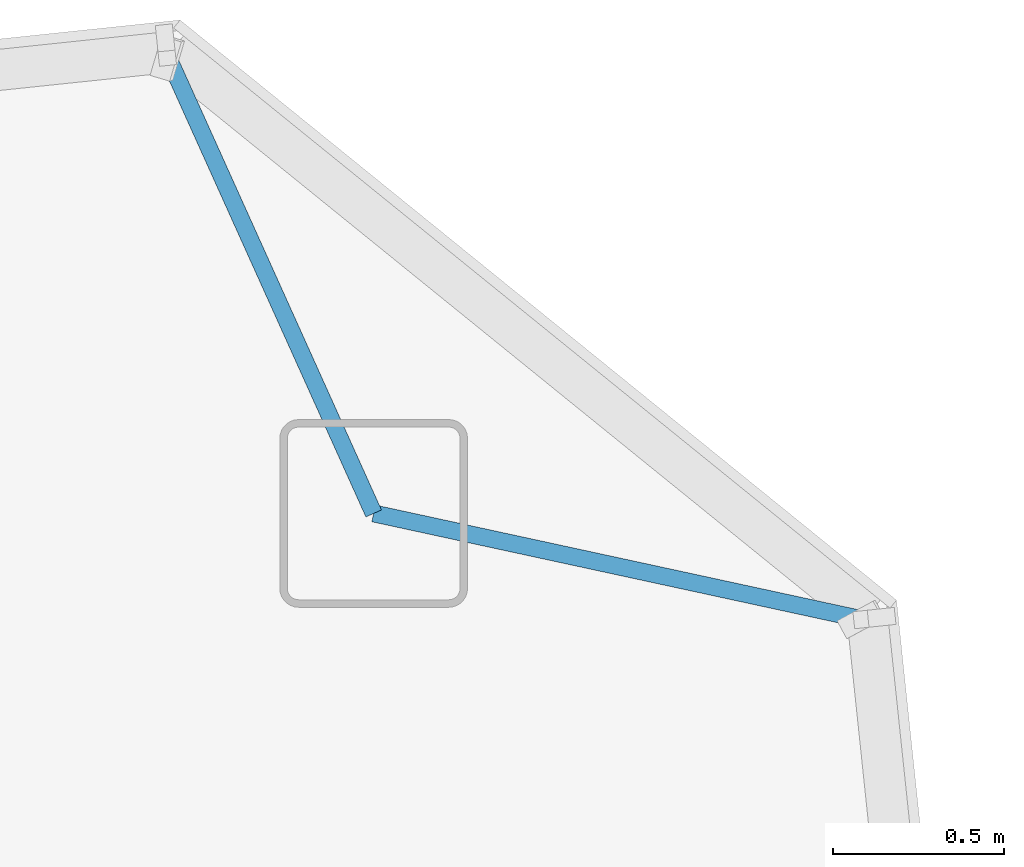
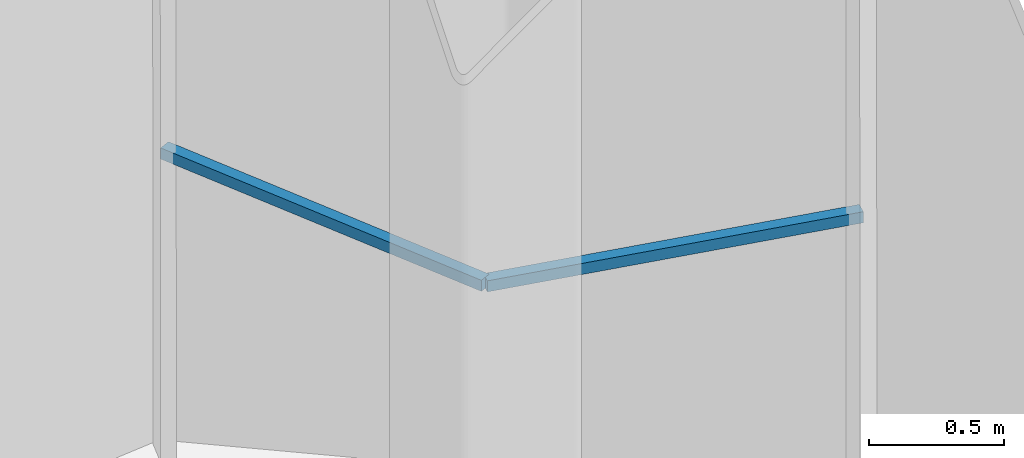
# One storey, part 27 of 41: 2 discrete accessories.
"""IFC4 building model written with IfcOpenShell, lengths in metres."""

from ifc_helpers import new_model, si_unit, direction, frame, origin, origin_2d, place, context, subcontext, project, spatial, rectangle, extrude, material, material_profile, profile_set, type_object, element, save


model = new_model("IFC4")

# Units and contexts
model_context = context("Model", 3, precision=1e-05, world=origin(), true_north=direction((0.0, 1.0)))
body_context = subcontext(model_context, "Body", "Model", "MODEL_VIEW")
ifc_project = project(units=[si_unit("LENGTHUNIT", "METRE"), si_unit("AREAUNIT", "SQUARE_METRE"), si_unit("VOLUMEUNIT", "CUBIC_METRE"), si_unit("PLANEANGLEUNIT", "RADIAN"), si_unit("MASSUNIT", "GRAM", prefix="KILO")], contexts=[model_context])

# Site, building, storey
site_placement = place(None, origin())
site = spatial("IfcSite", under=ifc_project, at=site_placement, CompositionType="ELEMENT")
building_placement = place(site_placement, origin())
building = spatial("IfcBuilding", under=site, at=building_placement, Name="Hakoniwa Tower and Hamabe Station Hall", CompositionType="ELEMENT")
storey_placement = place(building_placement, frame((0.0, 0.0, 276.60009765625)))
storey = spatial("IfcBuildingStorey", under=building, at=storey_placement, Name="L77", CompositionType="ELEMENT", Elevation=276.60009765625)

# Discrete accessories
ifc_material = material(Name="Stainless steel SUS304", Category="steel")
ifc_material_profile = material_profile(ifc_material, rectangle(XDim=0.050048828125, YDim=0.050048828125, at=origin_2d()), Name="CW-4 GLAZING BRACKET 50X50")
ifc_profile_set = profile_set([ifc_material_profile], Name="Stainless steel SUS304")
discrete_accessory_type = type_object("IfcDiscreteAccessoryType", Name="CW-4 GLAZING BRACKET 50X50", PredefinedType="BRACKET", material=ifc_profile_set)
discrete_accessory_1_placement = place(storey_placement, frame((34.149169921875, 23.377197265625, 1.366455078125), z_axis=(0.410898518792, -0.911681088569, 0.0), x_axis=(0.911681088569, 0.410898518792, 0.0)))
element("IfcDiscreteAccessory", 1, at=discrete_accessory_1_placement, inside=storey, type_object=discrete_accessory_type, Name="Glazing bracket", PredefinedType="BRACKET", context=body_context, shape_type="SweptSolid", body=[
    extrude(rectangle(XDim=0.050048828125, YDim=0.050048828125, at=origin_2d()), origin(), (0.0, 0.0, 1.0), 1.464111328125),
])
discrete_accessory_2_placement = place(storey_placement, frame((36.180419921875, 21.732666015625, 1.366455078125), z_axis=(-0.977316231822, 0.211785228515, 0.0), x_axis=(-0.211785228515, -0.977316231822, 0.0)))
element("IfcDiscreteAccessory", 2, at=discrete_accessory_2_placement, inside=storey, type_object=discrete_accessory_type, Name="Glazing bracket", PredefinedType="BRACKET", context=body_context, shape_type="SweptSolid", body=[
    extrude(rectangle(XDim=0.050048828125, YDim=0.050048828125, at=origin_2d()), origin(), (0.0, 0.0, 1.0), 1.462890625),
])

save(model, "model.ifc")
